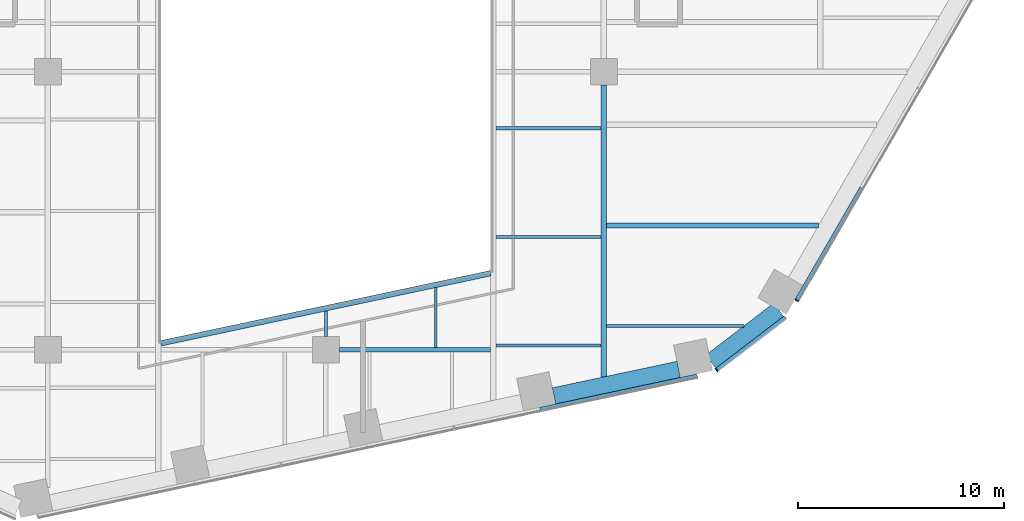
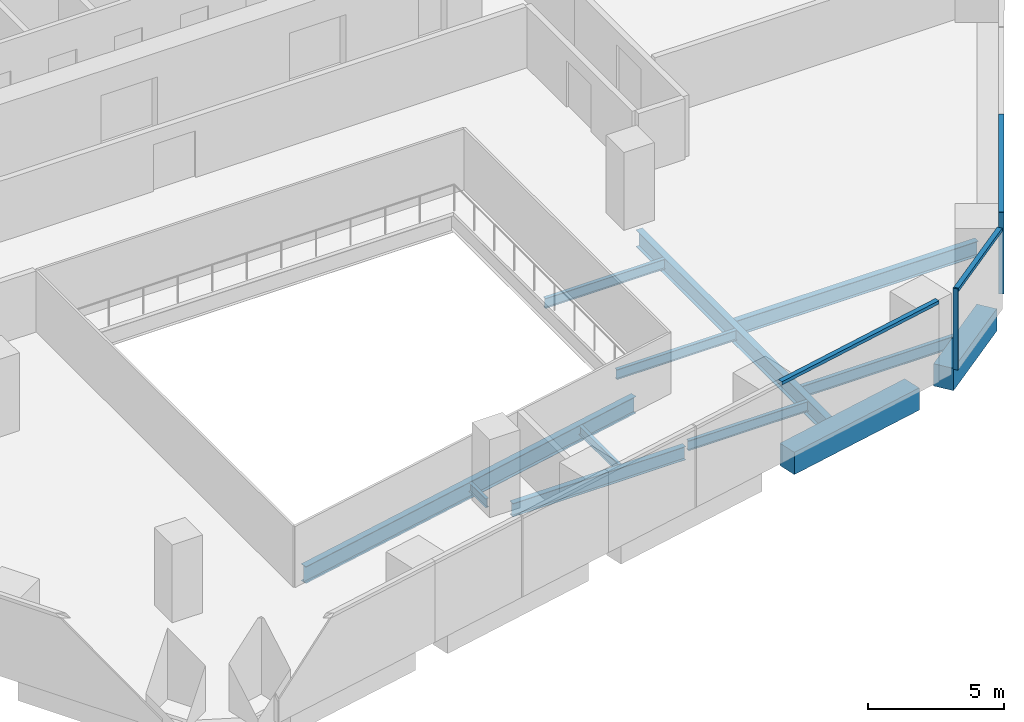
# One storey, part 5 of 19: 12 beams, 5 members, 3 elements without a shape of their own.
"""IFC4 building model written with IfcOpenShell, lengths in metres."""

from ifc_helpers import new_model, si_unit, direction, frame, origin, origin_2d, place, context, subcontext, project, spatial, rectangle, i_section, extrude, material, layer, layer_set, material_profile, profile_set, type_object, element, aggregate, save


model = new_model("IFC4")

# Units and contexts
model_context = context("Model", 3, precision=1e-05, world=origin(), true_north=direction((0.0, 1.0)))
body_context = subcontext(model_context, "Body", "Model", "MODEL_VIEW")
ifc_project = project(units=[si_unit("LENGTHUNIT", "METRE"), si_unit("AREAUNIT", "SQUARE_METRE"), si_unit("VOLUMEUNIT", "CUBIC_METRE"), si_unit("PLANEANGLEUNIT", "RADIAN"), si_unit("MASSUNIT", "GRAM", prefix="KILO")], contexts=[model_context])

# Site, building, storey
site_placement = place(None, origin())
site = spatial("IfcSite", under=ifc_project, at=site_placement, CompositionType="ELEMENT")
building_placement = place(site_placement, origin())
building = spatial("IfcBuilding", under=site, at=building_placement, Name="Isthmus Gate Tower", CompositionType="ELEMENT")
storey_placement = place(building_placement, frame((0.0, 0.0, 91.60009765625)))
storey = spatial("IfcBuildingStorey", under=building, at=storey_placement, Name="L21", CompositionType="ELEMENT", Elevation=91.60009765625)

# Curtain wall, member
ifc_material_1 = material(Name="Aluminium, pale champagne anodised", Category="aluminium")
ifc_layer = layer(ifc_material_1, 0.199951171875)
ifc_layer_set = layer_set([ifc_layer], Name="CW-1 UNITISED CURTAIN WALL 200 DEEP")
curtain_wall_type = type_object("IfcCurtainWallType", Name="CW-1 UNITISED CURTAIN WALL 200 DEEP", PredefinedType="NOTDEFINED", material=ifc_layer_set)
curtain_wall_1_placement = place(storey_placement, origin())
curtain_wall_1 = element("IfcCurtainWall", 1, at=curtain_wall_1_placement, inside=storey, type_object=curtain_wall_type, Name="CW-1 S-SE L21", PredefinedType="NOTDEFINED")
ifc_material_2 = material(Name="Aluminium, pale champagne anodised", Category="aluminium")
ifc_material_profile_1 = material_profile(ifc_material_2, rectangle(XDim=0.06005859375, YDim=0.199951171875, at=origin_2d()), Name="60x200")
ifc_profile_set_1 = profile_set([ifc_material_profile_1], Name="Aluminium, pale champagne anodised")
member_type_1 = type_object("IfcMemberType", Name="CW-1 MULLION 60 X 200", PredefinedType="MULLION", material=ifc_profile_set_1)
member_1_placement = place(storey_placement, frame((18.978759765625, -27.982421875, 0.0), z_axis=(0.0, 0.0, 1.0), x_axis=(0.794188594387, 0.607671355706, 0.0)))
member_1 = element("IfcMember", 2, at=member_1_placement, type_object=member_type_1, Name="CW-1 mullion", PredefinedType="MULLION", context=body_context, shape_type="SweptSolid", body=[
    extrude(rectangle(XDim=0.06005859375, YDim=0.199951171875, at=origin_2d()), origin(), (0.0, 0.0, 1.0), 3.64990234375),
])

curtain_wall_2_placement = place(storey_placement, origin())
curtain_wall_2 = element("IfcCurtainWall", 3, at=curtain_wall_2_placement, inside=storey, type_object=curtain_wall_type, Name="CW-1 SE L21", PredefinedType="NOTDEFINED")
member_2_placement = place(storey_placement, frame((22.863525390625, -24.599365234375, 0.0), z_axis=(0.0, 0.0, 1.0), x_axis=(0.5, 0.866025403784, 0.0)))
member_2 = element("IfcMember", 4, at=member_2_placement, type_object=member_type_1, Name="CW-1 mullion", PredefinedType="MULLION", context=body_context, shape_type="SweptSolid", body=[
    extrude(rectangle(XDim=0.06005859375, YDim=0.199951171875, at=origin_2d()), origin(), (0.0, 0.0, 1.0), 3.64990234375),
])

curtain_wall_3_placement = place(storey_placement, origin())
curtain_wall_3 = element("IfcCurtainWall", 5, at=curtain_wall_3_placement, inside=storey, type_object=curtain_wall_type, Name="CW-1 S L21", PredefinedType="NOTDEFINED")
ifc_material_3 = material(Name="Aluminium, pale champagne anodised", Category="aluminium")
ifc_material_profile_2 = material_profile(ifc_material_3, rectangle(XDim=0.199951171875, YDim=0.14990234375, at=origin_2d()), Name="200x150")
ifc_profile_set_2 = profile_set([ifc_material_profile_2], Name="Aluminium, pale champagne anodised")
member_type_2 = type_object("IfcMemberType", Name="CW-1 TRANSOM 200 X 150", PredefinedType="USERDEFINED", material=ifc_profile_set_2)
member_3_placement = place(storey_placement, frame((10.400146484375, -29.8916015625, 3.574951171875), z_axis=(0.978150565745, 0.207897741047, 0.0), x_axis=(-0.207897741047, 0.978150565745, 0.0)))
member_3 = element("IfcMember", 6, at=member_3_placement, type_object=member_type_2, Name="CW-1 transom", ObjectType="TRANSOM", PredefinedType="USERDEFINED", context=body_context, shape_type="SweptSolid", body=[
    extrude(rectangle(XDim=0.199951171875, YDim=0.14990234375, at=origin_2d()), origin(), (0.0, 0.0, 1.0), 7.789306640625),
])
aggregate(curtain_wall_3, [member_3])

# Member
member_4_placement = place(storey_placement, frame((19.002685546875, -27.96435546875, 3.574951171875), z_axis=(0.794175498212, 0.607688471209, 0.0), x_axis=(-0.607688471209, 0.794175498212, 0.0)))
member_4 = element("IfcMember", 7, at=member_4_placement, type_object=member_type_2, Name="CW-1 transom", ObjectType="TRANSOM", PredefinedType="USERDEFINED", context=body_context, shape_type="SweptSolid", body=[
    extrude(rectangle(XDim=0.199951171875, YDim=0.14990234375, at=origin_2d()), origin(), (0.0, 0.0, 1.0), 4.181396484375),
])

aggregate(curtain_wall_1, [member_1, member_4])

member_5_placement = place(storey_placement, frame((22.87841796875, -24.5732421875, 3.574951171875), z_axis=(0.50002426866, 0.866011391814, 0.0), x_axis=(-0.866011391814, 0.50002426866, 0.0)))
member_5 = element("IfcMember", 8, at=member_5_placement, type_object=member_type_2, Name="CW-1 transom", ObjectType="TRANSOM", PredefinedType="USERDEFINED", context=body_context, shape_type="SweptSolid", body=[
    extrude(rectangle(XDim=0.199951171875, YDim=0.14990234375, at=origin_2d()), origin(), (0.0, 0.0, 1.0), 6.278564453125),
])

aggregate(curtain_wall_2, [member_2, member_5])

# Beams
ifc_material_4 = material(Name="Concrete f'c 70 MPa", Category="concrete")
ifc_material_profile_3 = material_profile(ifc_material_4, rectangle(XDim=0.800048828125, YDim=1.0, at=origin_2d()), Name="RC 800X1000")
ifc_profile_set_3 = profile_set([ifc_material_profile_3], Name="Concrete f'c 70 MPa")
beam_type_1 = type_object("IfcBeamType", Name="RC SPANDREL 800 X 1000", PredefinedType="SPANDREL", material=ifc_profile_set_3)
beam_1_placement = place(storey_placement, frame((21.98681640625, -25.051513671875, -0.5), z_axis=(-0.794205941875, -0.607648682949, 0.0), x_axis=(0.607648682949, -0.794205941875, 0.0)))
element("IfcBeam", 9, at=beam_1_placement, inside=storey, type_object=beam_type_1, Name="str-spandrel-L21-09", PredefinedType="SPANDREL", context=body_context, shape_type="SweptSolid", body=[
    extrude(rectangle(XDim=0.800048828125, YDim=1.0, at=origin_2d()), origin(), (0.0, 0.0, 1.0), 4.15234375),
])
beam_2_placement = place(storey_placement, frame((17.1328125, -27.949462890625, -0.5), z_axis=(-0.978147421176, -0.207912535568, 0.0), x_axis=(0.207912535568, -0.978147421176, 0.0)))
element("IfcBeam", 10, at=beam_2_placement, inside=storey, type_object=beam_type_1, Name="str-spandrel-L21-10", PredefinedType="SPANDREL", context=body_context, shape_type="SweptSolid", body=[
    extrude(rectangle(XDim=0.800048828125, YDim=1.0, at=origin_2d()), origin(), (0.0, 0.0, 1.0), 6.189453125),
])
ifc_material_5 = material(Name="Structural steel ASTM A992 Gr 50", Category="steel")
ifc_material_profile_4 = material_profile(ifc_material_5, i_section(OverallWidth=0.1396484375, OverallDepth=0.4033203125, WebThickness=0.00634765625, FlangeThickness=0.010986328125, at=origin_2d()), Name="W16X31")
ifc_profile_set_4 = profile_set([ifc_material_profile_4], Name="Structural steel ASTM A992 Gr 50")
beam_type_2 = type_object("IfcBeamType", Name="STEEL FLOOR BEAM W16X31", PredefinedType="JOIST", material=ifc_profile_set_4)
beam_3_placement = place(storey_placement, frame((0.0, -26.35009765625, -0.351806640625), z_axis=(0.0, 1.0, 0.0), x_axis=(-1.0, 0.0, 0.0)))
element("IfcBeam", 11, at=beam_3_placement, inside=storey, type_object=beam_type_2, Name="str-beam-L21-18-00", PredefinedType="JOIST", context=body_context, shape_type="SweptSolid", body=[
    extrude(i_section(OverallWidth=0.1396484375, OverallDepth=0.4033203125, WebThickness=0.00634765625, FlangeThickness=0.010986328125, at=origin_2d()), origin(), (0.0, 0.0, 1.0), 1.23388671875),
])
beam_4_placement = place(storey_placement, frame((5.333251953125, -26.8857421875, -0.351806640625), z_axis=(0.0, 1.0, 0.0), x_axis=(-1.0, 0.0, 0.0)))
element("IfcBeam", 12, at=beam_4_placement, inside=storey, type_object=beam_type_2, Name="str-beam-L21-18-01", PredefinedType="JOIST", context=body_context, shape_type="SweptSolid", body=[
    extrude(i_section(OverallWidth=0.1396484375, OverallDepth=0.4033203125, WebThickness=0.00634765625, FlangeThickness=0.010986328125, at=origin_2d()), origin(), (0.0, 0.0, 1.0), 2.903076171875),
])
ifc_material_6 = material(Name="Structural steel ASTM A992 Gr 50", Category="steel")
ifc_material_profile_5 = material_profile(ifc_material_6, i_section(OverallWidth=0.15234375, OverallDepth=0.45068359375, WebThickness=0.0078125, FlangeThickness=0.010986328125, at=origin_2d()), Name="W18X35")
ifc_profile_set_5 = profile_set([ifc_material_profile_5], Name="Structural steel ASTM A992 Gr 50")
beam_type_3 = type_object("IfcBeamType", Name="STEEL FLOOR BEAM W18X35", PredefinedType="JOIST", material=ifc_profile_set_5)
for number, where, z_axis, x_axis, name in (
    (13, (8.263427734375, -26.788818359375, -0.37548828125), (1.0, 0.0, 0.0), (0.0, 1.0, 0.0), "str-beam-L21-23-00"),
    (14, (8.263427734375, -21.51513671875, -0.37548828125), (1.0, 0.0, 0.0), (0.0, 1.0, 0.0), "str-beam-L21-23-01"),
    (15, (8.263427734375, -16.241455078125, -0.37548828125), (1.0, 0.0, 0.0), (0.0, 1.0, 0.0), "str-beam-L21-23-02"),
):
    element("IfcBeam", number, at=place(storey_placement, frame(where, z_axis=z_axis, x_axis=x_axis)), inside=storey, type_object=beam_type_3, Name=name, PredefinedType="JOIST", context=body_context, shape_type="SweptSolid", body=[
        extrude(i_section(OverallWidth=0.15234375, OverallDepth=0.45068359375, WebThickness=0.0078125, FlangeThickness=0.010986328125, at=origin_2d()), origin(), (0.0, 0.0, 1.0), 5.103271484375),
    ])
ifc_material_7 = material(Name="Structural steel ASTM A992 Gr 50", Category="steel")
ifc_material_profile_6 = material_profile(ifc_material_7, i_section(OverallWidth=0.1650390625, OverallDepth=0.52392578125, WebThickness=0.009521484375, FlangeThickness=0.010986328125, at=origin_2d()), Name="W21X44")
ifc_profile_set_6 = profile_set([ifc_material_profile_6], Name="Structural steel ASTM A992 Gr 50")
beam_type_4 = type_object("IfcBeamType", Name="STEEL FLOOR BEAM W21X44", PredefinedType="JOIST", material=ifc_profile_set_6)
beam_5_placement = place(storey_placement, frame((13.63330078125, -25.842529296875, -0.412109375), z_axis=(1.0, 0.0, 0.0), x_axis=(0.0, 1.0, 0.0)))
element("IfcBeam", 16, at=beam_5_placement, inside=storey, type_object=beam_type_4, Name="str-beam-L21-28-00", PredefinedType="JOIST", context=body_context, shape_type="SweptSolid", body=[
    extrude(i_section(OverallWidth=0.1650390625, OverallDepth=0.52392578125, WebThickness=0.009521484375, FlangeThickness=0.010986328125, at=origin_2d()), origin(), (0.0, 0.0, 1.0), 6.661376953125),
])
ifc_material_8 = material(Name="Structural steel ASTM A992 Gr 50", Category="steel")
ifc_material_profile_7 = material_profile(ifc_material_8, i_section(OverallWidth=0.25390625, OverallDepth=0.679443359375, WebThickness=0.010986328125, FlangeThickness=0.015869140625, at=origin_2d()), Name="W27X84")
ifc_profile_set_7 = profile_set([ifc_material_profile_7], Name="Structural steel ASTM A992 Gr 50")
beam_type_5 = type_object("IfcBeamType", Name="STEEL FLOOR BEAM W27X84", PredefinedType="JOIST", material=ifc_profile_set_7)
beam_6_placement = place(storey_placement, frame((13.63330078125, -20.958740234375, -0.48974609375), z_axis=(1.0, 0.0, 0.0), x_axis=(0.0, 1.0, 0.0)))
element("IfcBeam", 17, at=beam_6_placement, inside=storey, type_object=beam_type_5, Name="str-beam-L21-28-01", PredefinedType="JOIST", context=body_context, shape_type="SweptSolid", body=[
    extrude(i_section(OverallWidth=0.25390625, OverallDepth=0.679443359375, WebThickness=0.010986328125, FlangeThickness=0.015869140625, at=origin_2d()), origin(), (0.0, 0.0, 1.0), 10.292724609375),
])
ifc_material_9 = material(Name="Structural steel ASTM A992 Gr 50", Category="steel")
ifc_material_profile_8 = material_profile(ifc_material_9, i_section(OverallWidth=0.228515625, OverallDepth=0.603271484375, WebThickness=0.010986328125, FlangeThickness=0.014404296875, at=origin_2d()), Name="W24X68")
ifc_profile_set_8 = profile_set([ifc_material_profile_8], Name="Structural steel ASTM A992 Gr 50")
beam_type_6 = type_object("IfcBeamType", Name="STEEL GIRDER W24X68", PredefinedType="BEAM", material=ifc_profile_set_8)
beam_7_placement = place(storey_placement, frame((0.64990234375, -27.0, -0.45166015625), z_axis=(1.0, 0.0, 0.0), x_axis=(0.0, 1.0, 0.0)))
element("IfcBeam", 18, at=beam_7_placement, inside=storey, type_object=beam_type_6, Name="str-girder-L21-04", PredefinedType="BEAM", context=body_context, shape_type="SweptSolid", body=[
    extrude(i_section(OverallWidth=0.228515625, OverallDepth=0.603271484375, WebThickness=0.010986328125, FlangeThickness=0.014404296875, at=origin_2d()), origin(), (0.0, 0.0, 1.0), 7.35009765625),
])
ifc_material_10 = material(Name="Structural steel ASTM A992 Gr 50", Category="steel")
ifc_material_profile_9 = material_profile(ifc_material_10, i_section(OverallWidth=0.2666015625, OverallDepth=0.7587890625, WebThickness=0.014404296875, FlangeThickness=0.01904296875, at=origin_2d()), Name="W30X108")
ifc_profile_set_9 = profile_set([ifc_material_profile_9], Name="Structural steel ASTM A992 Gr 50")
beam_type_7 = type_object("IfcBeamType", Name="STEEL GIRDER W30X108", PredefinedType="BEAM", material=ifc_profile_set_9)
beam_8_placement = place(storey_placement, frame((13.5, -28.3125, -0.529541015625), z_axis=(0.0, 1.0, 0.0), x_axis=(-1.0, 0.0, 0.0)))
element("IfcBeam", 19, at=beam_8_placement, inside=storey, type_object=beam_type_7, Name="str-girder-L21-32", PredefinedType="BEAM", context=body_context, shape_type="SweptSolid", body=[
    extrude(i_section(OverallWidth=0.2666015625, OverallDepth=0.7587890625, WebThickness=0.014404296875, FlangeThickness=0.01904296875, at=origin_2d()), origin(), (0.0, 0.0, 1.0), 14.16259765625),
])
ifc_material_11 = material(Name="Structural steel ASTM A992 Gr 50", Category="steel")
ifc_material_profile_10 = material_profile(ifc_material_11, i_section(OverallWidth=0.2666015625, OverallDepth=0.7587890625, WebThickness=0.014404296875, FlangeThickness=0.01904296875, at=origin_2d()), Name="W30X108")
ifc_profile_set_10 = profile_set([ifc_material_profile_10], Name="Structural steel ASTM A992 Gr 50")
beam_type_8 = type_object("IfcBeamType", Name="STEEL TRIMMER W30X108", PredefinedType="BEAM", material=ifc_profile_set_10)
beam_9_placement = place(storey_placement, frame((-8.0, -26.680419921875, -0.529541015625), z_axis=(0.978147924985, 0.20791016533, 0.0), x_axis=(-0.20791016533, 0.978147924985, 0.0)))
element("IfcBeam", 20, at=beam_9_placement, inside=storey, type_object=beam_type_8, Name="str-trimmer-L21-03", PredefinedType="BEAM", context=body_context, shape_type="SweptSolid", body=[
    extrude(i_section(OverallWidth=0.2666015625, OverallDepth=0.7587890625, WebThickness=0.014404296875, FlangeThickness=0.01904296875, at=origin_2d()), origin(), (0.0, 0.0, 1.0), 16.357421875),
])

save(model, "model.ifc")
